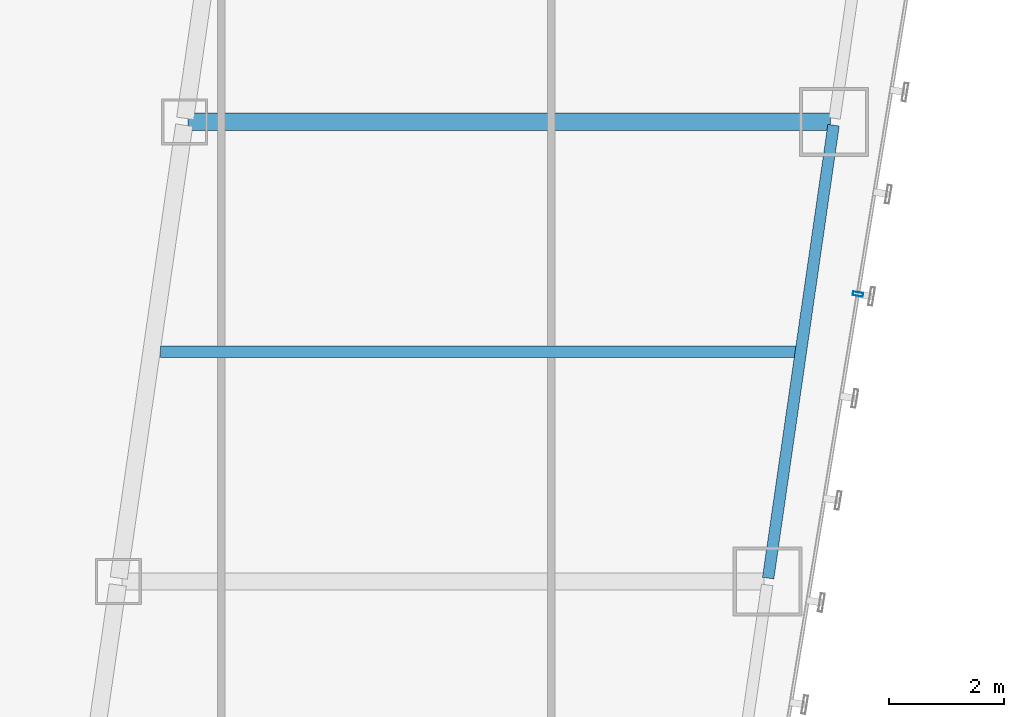
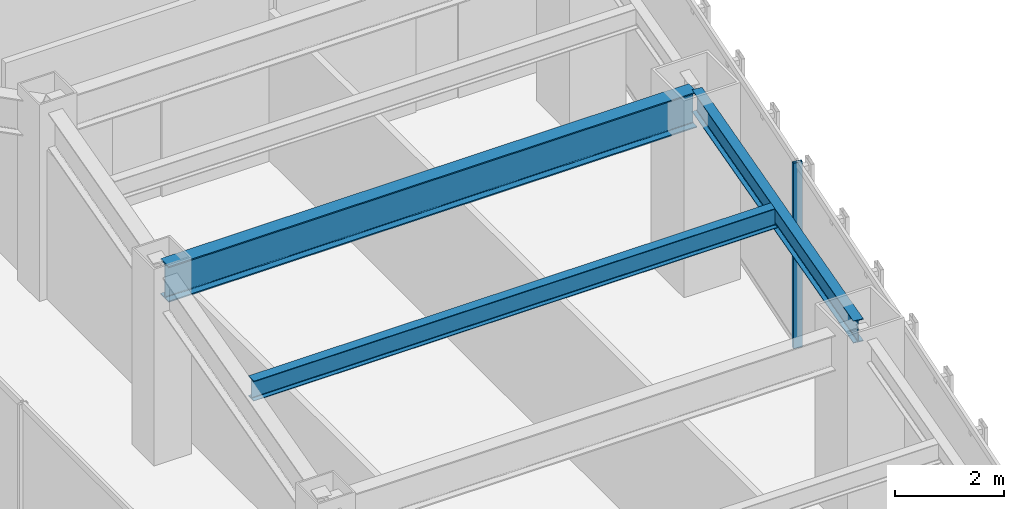
# One storey, part 21 of 47: 3 beams, 1 member, 1 element without a shape of its own.
"""IFC4 building model written with IfcOpenShell, lengths in metres."""

import ifcopenshell
import ifcopenshell.guid

model = None  # the IFC model being written
_history = None  # IfcOwnerHistory: only IFC2X3 demands one
_inside = {}  # id of a spatial element -> (the spatial element, [elements in it])
_under = {}  # id of a project, library or spatial element -> (it, [spatial elements below it])
_declared = {}  # id of a project -> (the project, [libraries it declares])
_typed = {}  # id of a type object -> (the type object, [elements of that type])
_made_of = {}  # id of a material, layer set ... -> (it, [elements and type objects made of it])


def new_model(schema):
    """Start an empty IFC model of exactly this schema.

    Asked for "IFC4X3", IfcOpenShell would pick the latest addendum, in which some entities
    have other attributes; the version numbers below select the first issue.
    IFC2X3 requires an IfcOwnerHistory on every rooted entity: one is made here for all.
    """
    global model, _history
    if schema == "IFC4X3":
        model = ifcopenshell.file(schema_version=(4, 3, 0, 0))
    else:
        model = ifcopenshell.file(schema=schema)
    _inside.clear()
    _under.clear()
    _declared.clear()
    _typed.clear()
    _made_of.clear()
    _history = None
    if model.schema == "IFC2X3":
        org = make("IfcOrganization", Name="unknown")
        user = make(
            "IfcPersonAndOrganization",
            ThePerson=make("IfcPerson", FamilyName="unknown"),
            TheOrganization=org,
        )
        app = make(
            "IfcApplication",
            ApplicationDeveloper=org,
            Version="unknown",
            ApplicationFullName="unknown",
            ApplicationIdentifier="unknown",
        )
        _history = make(
            "IfcOwnerHistory",
            OwningUser=user,
            OwningApplication=app,
            ChangeAction="ADDED",
            CreationDate=0,
        )
    return model


def make(cls, **values):
    """One entity of the class cls with the attributes given. An attribute that is None is left unset."""
    return model.create_entity(
        cls, **{name: value for name, value in values.items() if value is not None}
    )


def rooted(cls, **values):
    """An entity with a GlobalId (a new one), such as an element, a storey or a relation."""
    return make(cls, GlobalId=ifcopenshell.guid.new(), OwnerHistory=_history, **values)


def si_unit(unit_type, name, prefix=None):
    """IfcSIUnit, for example si_unit("LENGTHUNIT", "METRE", prefix="MILLI")."""
    return make("IfcSIUnit", UnitType=unit_type, Prefix=prefix, Name=name)


def assignment(units):
    """IfcUnitAssignment: the units of a project."""
    return None if units is None else make("IfcUnitAssignment", Units=units)


def point(xyz):
    """IfcCartesianPoint."""
    return None if xyz is None else make("IfcCartesianPoint", Coordinates=xyz)


def direction(xyz):
    """IfcDirection."""
    return None if xyz is None else make("IfcDirection", DirectionRatios=xyz)


def frame(location, z_axis=None, x_axis=None):
    """IfcAxis2Placement3D, a coordinate frame: its origin and axes. An axis left out is left unset."""
    return make(
        "IfcAxis2Placement3D",
        Location=point(location),
        Axis=direction(z_axis),
        RefDirection=direction(x_axis),
    )


def frame_2d(location, x_axis=None):
    """IfcAxis2Placement2D, a coordinate frame in the plane: its origin and x axis."""
    return make(
        "IfcAxis2Placement2D", Location=point(location), RefDirection=direction(x_axis)
    )


def origin():
    """The frame at (0, 0, 0) with its axes left unset."""
    return frame((0.0, 0.0, 0.0))


def origin_2d():
    """The frame at (0, 0) in the plane with its x axis left unset."""
    return frame_2d((0.0, 0.0))


def place(relative_to, where):
    """IfcLocalPlacement: puts the frame where relative to a parent placement (None: the world)."""
    return make(
        "IfcLocalPlacement", PlacementRelTo=relative_to, RelativePlacement=where
    )


def context(
    kind, dimensions, precision=None, world=None, true_north=None, identifier=None
):
    """IfcGeometricRepresentationContext, for example the 3D "Model" context."""
    return make(
        "IfcGeometricRepresentationContext",
        ContextIdentifier=identifier,
        ContextType=kind,
        CoordinateSpaceDimension=dimensions,
        Precision=precision,
        WorldCoordinateSystem=world,
        TrueNorth=true_north,
    )


def subcontext(parent, identifier, kind, view, scale=None):
    """IfcGeometricRepresentationSubContext, for example "Body" below "Model"."""
    return make(
        "IfcGeometricRepresentationSubContext",
        ContextIdentifier=identifier,
        ContextType=kind,
        ParentContext=parent,
        TargetScale=scale,
        TargetView=view,
    )


def project(units=None, contexts=None):
    """IfcProject with its units and contexts."""
    return rooted(
        "IfcProject",
        Name="project",
        RepresentationContexts=contexts,
        UnitsInContext=assignment(units),
    )


def spatial(cls, under=None, at=None, **own):
    """A site, building, storey or space (cls), placed at a placement, below another one or the project."""
    s = rooted(cls, ObjectPlacement=at, **own)
    if under is not None:
        _under.setdefault(under.id(), (under, []))[1].append(s)
    return s


def profile(cls, at=None, kind="AREA", **sizes):
    """A parametric profile (cls). Its sizes go by their IFC names, for example OverallWidth=200.0."""
    return make(cls, ProfileType=kind, Position=at, **sizes)


def hollow_rectangle(**sizes):
    """IfcRectangleHollowProfileDef."""
    return profile("IfcRectangleHollowProfileDef", **sizes)


def i_section(**sizes):
    """IfcIShapeProfileDef."""
    return profile("IfcIShapeProfileDef", **sizes)


def extrude(swept, where, along, depth):
    """IfcExtrudedAreaSolid: the profile swept, set in the frame where, extruded along a direction by depth."""
    return make(
        "IfcExtrudedAreaSolid",
        SweptArea=swept,
        Position=where,
        ExtrudedDirection=direction(along),
        Depth=depth,
    )


def shape(context_of_items, identifier, shape_type, items):
    """IfcShapeRepresentation: the items that make up one representation, for example the "Body"."""
    return make(
        "IfcShapeRepresentation",
        ContextOfItems=context_of_items,
        RepresentationIdentifier=identifier,
        RepresentationType=shape_type,
        Items=items,
    )


def material(Name=None, Category=None):
    """IfcMaterial."""
    return make("IfcMaterial", Name=Name, Category=Category)


def material_profile(
    of_material, cross_section, Name=None, Category=None, Priority=None
):
    """IfcMaterialProfile: a cross section and its material."""
    return make(
        "IfcMaterialProfile",
        Name=Name,
        Material=of_material,
        Profile=cross_section,
        Priority=Priority,
        Category=Category,
    )


def profile_set(profiles, Name=None, composite=None):
    """IfcMaterialProfileSet."""
    return make(
        "IfcMaterialProfileSet",
        Name=Name,
        MaterialProfiles=profiles,
        CompositeProfile=composite,
    )


def made_of(thing, what):
    """Note that an element or type object is made of a material, layer set ...; save() writes the relation."""
    if what is not None:
        _made_of.setdefault(what.id(), (what, []))[1].append(thing)
    return thing


def type_object(cls, material=None, **own):
    """A type object (cls), such as IfcWallType, which elements share."""
    return made_of(rooted(cls, **own), material)


def element(
    cls,
    number,
    at=None,
    inside=None,
    cuts=None,
    type_object=None,
    material=None,
    context=None,
    identifier="Body",
    shape_type=None,
    held_by="IfcProductDefinitionShape",
    body=None,
    shapes=None,
    **own,
):
    """One element of the class cls, such as IfcWall. Its Tag is "e" and its number.

    at: its placement. inside: the storey or other place that contains it. cuts: it is an
    opening in that element (IfcRelVoidsElement). A single representation is given by context,
    identifier, shape_type and body (its items); several are given by shapes. held_by: the class
    of the entity that holds the representations. save() writes the other relations.
    """
    e = rooted(cls, Tag="e%d" % number, ObjectPlacement=at, **own)
    if body is not None:
        shapes = [shape(context, identifier, shape_type, body)]
    if shapes is not None:
        e.Representation = make(held_by, Representations=shapes)
    if inside is not None:
        _inside.setdefault(inside.id(), (inside, []))[1].append(e)
    if cuts is not None:
        rooted(
            "IfcRelVoidsElement", RelatingBuildingElement=cuts, RelatedOpeningElement=e
        )
    if type_object is not None:
        _typed.setdefault(type_object.id(), (type_object, []))[1].append(e)
    return made_of(e, material)


def aggregate(whole, parts):
    """IfcRelAggregates: a whole, such as a stair, and the parts it consists of."""
    return rooted("IfcRelAggregates", RelatingObject=whole, RelatedObjects=parts)


def save(model, path):
    """Write the relations noted so far, then the file.

    IfcRelAggregates (storeys below a building ...), IfcRelContainedInSpatialStructure (elements
    in a storey), IfcRelDefinesByType, IfcRelAssociatesMaterial and IfcRelDeclares: one each for
    every whole, place, type object, material and project.
    """
    for whole, parts in _under.values():
        aggregate(whole, parts)
    for where, things in _inside.values():
        rooted(
            "IfcRelContainedInSpatialStructure",
            RelatedElements=things,
            RelatingStructure=where,
        )
    for kind, things in _typed.values():
        rooted("IfcRelDefinesByType", RelatedObjects=things, RelatingType=kind)
    for what, things in _made_of.values():
        rooted("IfcRelAssociatesMaterial", RelatedObjects=things, RelatingMaterial=what)
    for by, libraries in _declared.values():
        rooted("IfcRelDeclares", RelatingContext=by, RelatedDefinitions=libraries)
    model.write(path)


model = new_model("IFC4")

# Units and contexts
model_context = context("Model", 3, precision=1e-05, world=origin(), true_north=direction((0.0, 1.0)))
body_context = subcontext(model_context, "Body", "Model", "MODEL_VIEW")
ifc_project = project(units=[si_unit("LENGTHUNIT", "METRE"), si_unit("AREAUNIT", "SQUARE_METRE"), si_unit("VOLUMEUNIT", "CUBIC_METRE"), si_unit("PLANEANGLEUNIT", "RADIAN"), si_unit("MASSUNIT", "GRAM", prefix="KILO")], contexts=[model_context])

# Site, building, storey
site_placement = place(None, origin())
site = spatial("IfcSite", under=ifc_project, at=site_placement, CompositionType="ELEMENT")
building_placement = place(site_placement, origin())
building = spatial("IfcBuilding", under=site, at=building_placement, Name="Saevonmaru Cultural Tower", CompositionType="ELEMENT")
storey_placement = place(building_placement, frame((0.0, 0.0, 69.199951171875)))
storey = spatial("IfcBuildingStorey", under=building, at=storey_placement, Name="L14", CompositionType="ELEMENT", Elevation=69.199951171875)

# Beams
ifc_material_1 = material(Name="Steel SM420", Category="steel")
ifc_material_profile_1 = material_profile(ifc_material_1, i_section(OverallWidth=0.300048828125, OverallDepth=0.800048828125, WebThickness=0.013916015625, FlangeThickness=0.02587890625, FilletRadius=0.028076171875, at=origin_2d()), Name="H-800x300x14x26")
ifc_profile_set_1 = profile_set([ifc_material_profile_1], Name="Steel SM420")
beam_type_1 = type_object("IfcBeamType", Name="BM-G-H800", PredefinedType="BEAM", material=ifc_profile_set_1)
beam_1_placement = place(storey_placement, frame((40.443115234375, 32.0, 3.75), z_axis=(1.0, 0.0, 0.0), x_axis=(0.0, 1.0, 0.0)))
element("IfcBeam", 1, at=beam_1_placement, inside=storey, type_object=beam_type_1, Name="L14 East Wing Transverse Girder 5", PredefinedType="BEAM", context=body_context, shape_type="SweptSolid", body=[
    extrude(i_section(OverallWidth=0.300048828125, OverallDepth=0.800048828125, WebThickness=0.013916015625, FlangeThickness=0.02587890625, FilletRadius=0.028076171875, at=origin_2d()), origin(), (0.0, 0.0, 1.0), 11.179931640625),
])
ifc_material_2 = material(Name="Steel SM355", Category="steel")
ifc_material_profile_2 = material_profile(ifc_material_2, i_section(OverallWidth=0.199951171875, OverallDepth=0.449951171875, WebThickness=0.009033203125, FlangeThickness=0.013916015625, FilletRadius=0.01806640625, at=origin_2d()), Name="H-450x200x9x14")
ifc_profile_set_2 = profile_set([ifc_material_profile_2], Name="Steel SM355")
beam_type_2 = type_object("IfcBeamType", Name="BM-J-H450", PredefinedType="JOIST", material=ifc_profile_set_2)
beam_2_placement = place(storey_placement, frame((39.96337890625, 28.0, 3.925048828125), z_axis=(1.0, 0.0, 0.0), x_axis=(0.0, 1.0, 0.0)))
element("IfcBeam", 2, at=beam_2_placement, inside=storey, type_object=beam_type_2, Name="L14 East Wing Floor Joist 4", PredefinedType="JOIST", context=body_context, shape_type="SweptSolid", body=[
    extrude(i_section(OverallWidth=0.199951171875, OverallDepth=0.449951171875, WebThickness=0.009033203125, FlangeThickness=0.013916015625, FilletRadius=0.01806640625, at=origin_2d()), origin(), (0.0, 0.0, 1.0), 11.08203125),
])
ifc_material_profile_3 = material_profile(ifc_material_2, i_section(OverallWidth=0.199951171875, OverallDepth=0.5, WebThickness=0.010009765625, FlangeThickness=0.01611328125, FilletRadius=0.02001953125, at=origin_2d()), Name="H-500x200x10x16")
ifc_profile_set_3 = profile_set([ifc_material_profile_3], Name="Steel SM355")
beam_type_3 = type_object("IfcBeamType", Name="BM-SP-H500", PredefinedType="SPANDREL", material=ifc_profile_set_3)
beam_3_placement = place(storey_placement, frame((50.53662109375, 24.059326171875, 3.900146484375), z_axis=(0.142871999001, 0.989741174197, 0.0), x_axis=(-0.989741174197, 0.142871999001, 0.0)))
element("IfcBeam", 3, at=beam_3_placement, inside=storey, type_object=beam_type_3, Name="L14 East Splayed Spandrel 4", PredefinedType="SPANDREL", context=body_context, shape_type="SweptSolid", body=[
    extrude(i_section(OverallWidth=0.199951171875, OverallDepth=0.5, WebThickness=0.010009765625, FlangeThickness=0.01611328125, FilletRadius=0.02001953125, at=origin_2d()), origin(), (0.0, 0.0, 1.0), 7.963134765625),
])

# Curtain wall, member
ifc_material_3 = material(Name="Satin Bronze Anodised Aluminium", Category="aluminium")
curtain_wall_type = type_object("IfcCurtainWallType", Name="CW-TYP-A", PredefinedType="NOTDEFINED", material=ifc_material_3)
curtain_wall_placement = place(storey_placement, origin())
curtain_wall = element("IfcCurtainWall", 4, at=curtain_wall_placement, inside=storey, type_object=curtain_wall_type, Name="L14 Unitised Curtain Wall E8", PredefinedType="NOTDEFINED")
ifc_material_profile_4 = material_profile(ifc_material_3, hollow_rectangle(XDim=0.06494140625, YDim=0.179931640625, WallThickness=0.00390625, at=origin_2d()), Name="ALU-MULL-180x65x4")
ifc_profile_set_4 = profile_set([ifc_material_profile_4], Name="Satin Bronze Anodised Aluminium")
member_type = type_object("IfcMemberType", Name="ML-CW-180x65", PredefinedType="MULLION", material=ifc_profile_set_4)
member_placement = place(storey_placement, frame((52.10009765625, 29.0, 0.0), z_axis=(0.0, 0.0, 1.0), x_axis=(0.161708868641, 0.986838508472, 0.0)))
member = element("IfcMember", 5, at=member_placement, type_object=member_type, Name="CW-TW-L14-E8 mullion 3", PredefinedType="MULLION", context=body_context, shape_type="SweptSolid", body=[
    extrude(hollow_rectangle(XDim=0.06494140625, YDim=0.179931640625, WallThickness=0.00390625, at=origin_2d()), origin(), (0.0, 0.0, 1.0), 4.150146484375),
])
aggregate(curtain_wall, [member])

save(model, "model.ifc")
